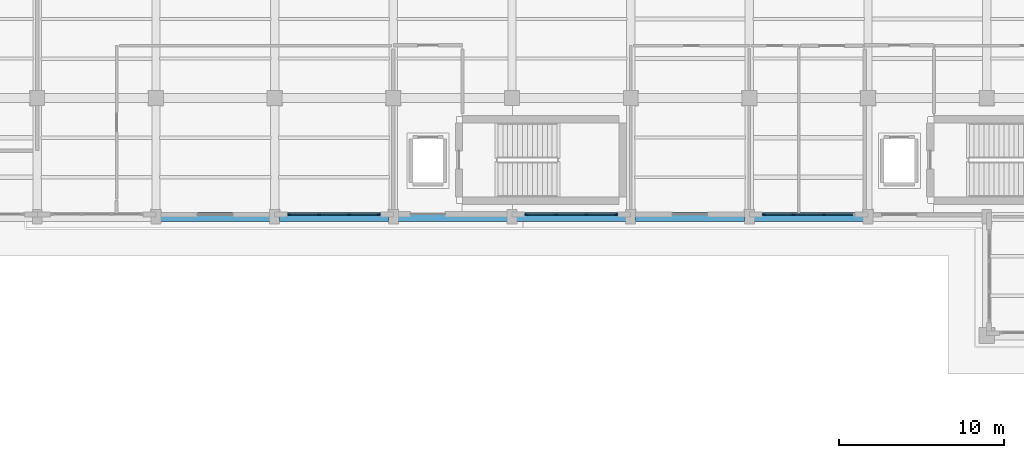
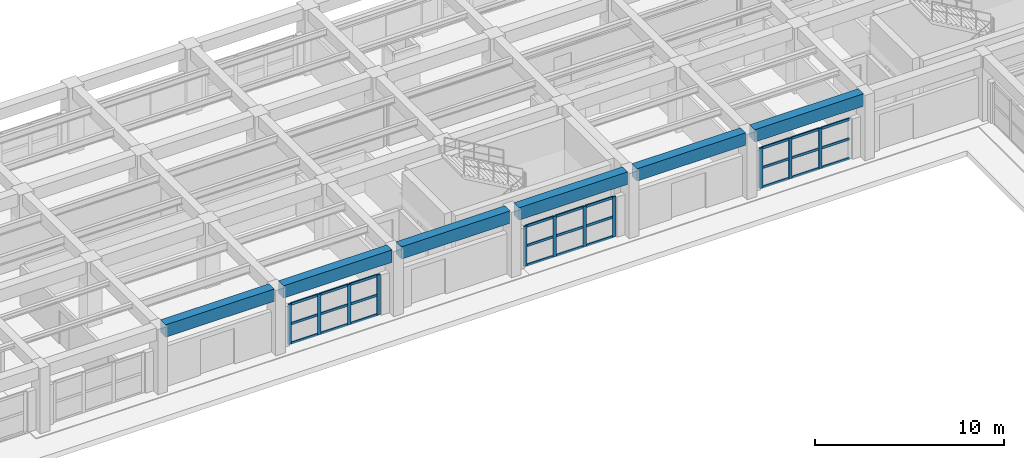
# One storey, part 22 of 64: 38 members, 6 beams, 3 elements without a shape of their own.
"""IFC4 building model written with IfcOpenShell, lengths in metres."""

import ifcopenshell
import ifcopenshell.guid

model = None  # the IFC model being written
_history = None  # IfcOwnerHistory: only IFC2X3 demands one
_inside = {}  # id of a spatial element -> (the spatial element, [elements in it])
_under = {}  # id of a project, library or spatial element -> (it, [spatial elements below it])
_declared = {}  # id of a project -> (the project, [libraries it declares])
_typed = {}  # id of a type object -> (the type object, [elements of that type])
_made_of = {}  # id of a material, layer set ... -> (it, [elements and type objects made of it])


def new_model(schema):
    """Start an empty IFC model of exactly this schema.

    Asked for "IFC4X3", IfcOpenShell would pick the latest addendum, in which some entities
    have other attributes; the version numbers below select the first issue.
    IFC2X3 requires an IfcOwnerHistory on every rooted entity: one is made here for all.
    """
    global model, _history
    if schema == "IFC4X3":
        model = ifcopenshell.file(schema_version=(4, 3, 0, 0))
    else:
        model = ifcopenshell.file(schema=schema)
    _inside.clear()
    _under.clear()
    _declared.clear()
    _typed.clear()
    _made_of.clear()
    _history = None
    if model.schema == "IFC2X3":
        org = make("IfcOrganization", Name="unknown")
        user = make(
            "IfcPersonAndOrganization",
            ThePerson=make("IfcPerson", FamilyName="unknown"),
            TheOrganization=org,
        )
        app = make(
            "IfcApplication",
            ApplicationDeveloper=org,
            Version="unknown",
            ApplicationFullName="unknown",
            ApplicationIdentifier="unknown",
        )
        _history = make(
            "IfcOwnerHistory",
            OwningUser=user,
            OwningApplication=app,
            ChangeAction="ADDED",
            CreationDate=0,
        )
    return model


def make(cls, **values):
    """One entity of the class cls with the attributes given. An attribute that is None is left unset."""
    return model.create_entity(
        cls, **{name: value for name, value in values.items() if value is not None}
    )


def rooted(cls, **values):
    """An entity with a GlobalId (a new one), such as an element, a storey or a relation."""
    return make(cls, GlobalId=ifcopenshell.guid.new(), OwnerHistory=_history, **values)


def si_unit(unit_type, name, prefix=None):
    """IfcSIUnit, for example si_unit("LENGTHUNIT", "METRE", prefix="MILLI")."""
    return make("IfcSIUnit", UnitType=unit_type, Prefix=prefix, Name=name)


def assignment(units):
    """IfcUnitAssignment: the units of a project."""
    return None if units is None else make("IfcUnitAssignment", Units=units)


def point(xyz):
    """IfcCartesianPoint."""
    return None if xyz is None else make("IfcCartesianPoint", Coordinates=xyz)


def direction(xyz):
    """IfcDirection."""
    return None if xyz is None else make("IfcDirection", DirectionRatios=xyz)


def frame(location, z_axis=None, x_axis=None):
    """IfcAxis2Placement3D, a coordinate frame: its origin and axes. An axis left out is left unset."""
    return make(
        "IfcAxis2Placement3D",
        Location=point(location),
        Axis=direction(z_axis),
        RefDirection=direction(x_axis),
    )


def frame_2d(location, x_axis=None):
    """IfcAxis2Placement2D, a coordinate frame in the plane: its origin and x axis."""
    return make(
        "IfcAxis2Placement2D", Location=point(location), RefDirection=direction(x_axis)
    )


def origin():
    """The frame at (0, 0, 0) with its axes left unset."""
    return frame((0.0, 0.0, 0.0))


def origin_2d():
    """The frame at (0, 0) in the plane with its x axis left unset."""
    return frame_2d((0.0, 0.0))


def place(relative_to, where):
    """IfcLocalPlacement: puts the frame where relative to a parent placement (None: the world)."""
    return make(
        "IfcLocalPlacement", PlacementRelTo=relative_to, RelativePlacement=where
    )


def context(
    kind, dimensions, precision=None, world=None, true_north=None, identifier=None
):
    """IfcGeometricRepresentationContext, for example the 3D "Model" context."""
    return make(
        "IfcGeometricRepresentationContext",
        ContextIdentifier=identifier,
        ContextType=kind,
        CoordinateSpaceDimension=dimensions,
        Precision=precision,
        WorldCoordinateSystem=world,
        TrueNorth=true_north,
    )


def subcontext(parent, identifier, kind, view, scale=None):
    """IfcGeometricRepresentationSubContext, for example "Body" below "Model"."""
    return make(
        "IfcGeometricRepresentationSubContext",
        ContextIdentifier=identifier,
        ContextType=kind,
        ParentContext=parent,
        TargetScale=scale,
        TargetView=view,
    )


def project(units=None, contexts=None):
    """IfcProject with its units and contexts."""
    return rooted(
        "IfcProject",
        Name="project",
        RepresentationContexts=contexts,
        UnitsInContext=assignment(units),
    )


def spatial(cls, under=None, at=None, **own):
    """A site, building, storey or space (cls), placed at a placement, below another one or the project."""
    s = rooted(cls, ObjectPlacement=at, **own)
    if under is not None:
        _under.setdefault(under.id(), (under, []))[1].append(s)
    return s


def profile(cls, at=None, kind="AREA", **sizes):
    """A parametric profile (cls). Its sizes go by their IFC names, for example OverallWidth=200.0."""
    return make(cls, ProfileType=kind, Position=at, **sizes)


def rectangle(**sizes):
    """IfcRectangleProfileDef."""
    return profile("IfcRectangleProfileDef", **sizes)


def extrude(swept, where, along, depth):
    """IfcExtrudedAreaSolid: the profile swept, set in the frame where, extruded along a direction by depth."""
    return make(
        "IfcExtrudedAreaSolid",
        SweptArea=swept,
        Position=where,
        ExtrudedDirection=direction(along),
        Depth=depth,
    )


def shape(context_of_items, identifier, shape_type, items):
    """IfcShapeRepresentation: the items that make up one representation, for example the "Body"."""
    return make(
        "IfcShapeRepresentation",
        ContextOfItems=context_of_items,
        RepresentationIdentifier=identifier,
        RepresentationType=shape_type,
        Items=items,
    )


def material(Name=None, Category=None):
    """IfcMaterial."""
    return make("IfcMaterial", Name=Name, Category=Category)


def layer(
    of_material, thickness, ventilated=None, Name=None, Category=None, Priority=None
):
    """IfcMaterialLayer: one layer of a wall or slab, of a material (None: an air gap)."""
    return make(
        "IfcMaterialLayer",
        Material=of_material,
        LayerThickness=thickness,
        IsVentilated=ventilated,
        Name=Name,
        Category=Category,
        Priority=Priority,
    )


def layer_set(layers, Name=None):
    """IfcMaterialLayerSet."""
    return make("IfcMaterialLayerSet", MaterialLayers=layers, LayerSetName=Name)


def material_profile(
    of_material, cross_section, Name=None, Category=None, Priority=None
):
    """IfcMaterialProfile: a cross section and its material."""
    return make(
        "IfcMaterialProfile",
        Name=Name,
        Material=of_material,
        Profile=cross_section,
        Priority=Priority,
        Category=Category,
    )


def profile_set(profiles, Name=None, composite=None):
    """IfcMaterialProfileSet."""
    return make(
        "IfcMaterialProfileSet",
        Name=Name,
        MaterialProfiles=profiles,
        CompositeProfile=composite,
    )


def made_of(thing, what):
    """Note that an element or type object is made of a material, layer set ...; save() writes the relation."""
    if what is not None:
        _made_of.setdefault(what.id(), (what, []))[1].append(thing)
    return thing


def type_object(cls, material=None, **own):
    """A type object (cls), such as IfcWallType, which elements share."""
    return made_of(rooted(cls, **own), material)


def element(
    cls,
    number,
    at=None,
    inside=None,
    cuts=None,
    type_object=None,
    material=None,
    context=None,
    identifier="Body",
    shape_type=None,
    held_by="IfcProductDefinitionShape",
    body=None,
    shapes=None,
    **own,
):
    """One element of the class cls, such as IfcWall. Its Tag is "e" and its number.

    at: its placement. inside: the storey or other place that contains it. cuts: it is an
    opening in that element (IfcRelVoidsElement). A single representation is given by context,
    identifier, shape_type and body (its items); several are given by shapes. held_by: the class
    of the entity that holds the representations. save() writes the other relations.
    """
    e = rooted(cls, Tag="e%d" % number, ObjectPlacement=at, **own)
    if body is not None:
        shapes = [shape(context, identifier, shape_type, body)]
    if shapes is not None:
        e.Representation = make(held_by, Representations=shapes)
    if inside is not None:
        _inside.setdefault(inside.id(), (inside, []))[1].append(e)
    if cuts is not None:
        rooted(
            "IfcRelVoidsElement", RelatingBuildingElement=cuts, RelatedOpeningElement=e
        )
    if type_object is not None:
        _typed.setdefault(type_object.id(), (type_object, []))[1].append(e)
    return made_of(e, material)


def aggregate(whole, parts):
    """IfcRelAggregates: a whole, such as a stair, and the parts it consists of."""
    return rooted("IfcRelAggregates", RelatingObject=whole, RelatedObjects=parts)


def save(model, path):
    """Write the relations noted so far, then the file.

    IfcRelAggregates (storeys below a building ...), IfcRelContainedInSpatialStructure (elements
    in a storey), IfcRelDefinesByType, IfcRelAssociatesMaterial and IfcRelDeclares: one each for
    every whole, place, type object, material and project.
    """
    for whole, parts in _under.values():
        aggregate(whole, parts)
    for where, things in _inside.values():
        rooted(
            "IfcRelContainedInSpatialStructure",
            RelatedElements=things,
            RelatingStructure=where,
        )
    for kind, things in _typed.values():
        rooted("IfcRelDefinesByType", RelatedObjects=things, RelatingType=kind)
    for what, things in _made_of.values():
        rooted("IfcRelAssociatesMaterial", RelatedObjects=things, RelatingMaterial=what)
    for by, libraries in _declared.values():
        rooted("IfcRelDeclares", RelatingContext=by, RelatedDefinitions=libraries)
    model.write(path)


model = new_model("IFC4")

# Units and contexts
model_context = context("Model", 3, precision=1e-05, world=origin(), true_north=direction((0.0, 1.0)))
body_context = subcontext(model_context, "Body", "Model", "MODEL_VIEW")
ifc_project = project(units=[si_unit("LENGTHUNIT", "METRE"), si_unit("AREAUNIT", "SQUARE_METRE"), si_unit("VOLUMEUNIT", "CUBIC_METRE"), si_unit("PLANEANGLEUNIT", "RADIAN"), si_unit("MASSUNIT", "GRAM", prefix="KILO")], contexts=[model_context])

# Site, building, storey
site_placement = place(None, origin())
site = spatial("IfcSite", under=ifc_project, at=site_placement, CompositionType="ELEMENT")
building_placement = place(site_placement, origin())
building = spatial("IfcBuilding", under=site, at=building_placement, Name="Solenvale Faculty of Natural Sciences", CompositionType="ELEMENT")
storey_placement = place(building_placement, origin())
storey = spatial("IfcBuildingStorey", under=building, at=storey_placement, Name="L00", CompositionType="ELEMENT", Elevation=0.0)

# Beams
ifc_material_1 = material(Name="Concrete 40 MPa", Category="concrete")
ifc_material_profile_1 = material_profile(ifc_material_1, rectangle(XDim=0.550048828125, YDim=0.800048828125, at=origin_2d()), Name="RC-BM-550x800")
ifc_profile_set_1 = profile_set([ifc_material_profile_1], Name="Concrete 40 MPa")
beam_type = type_object("IfcBeamType", Name="BM-RC-550x800", PredefinedType="BEAM", material=ifc_profile_set_1)
for number, where, z_axis, x_axis, name in (
    (1, (86.679931640625, 93.60009765625, 3.820068359375), (1.0, 0.0, 0.0), (0.0, 1.0, 0.0), "L00 X-Girder Y93.6 (86.4..93.6)"),
    (2, (93.8798828125, 93.60009765625, 3.820068359375), (1.0, 0.0, 0.0), (0.0, 1.0, 0.0), "L00 X-Girder Y93.6 (93.6..100.8)"),
):
    element("IfcBeam", number, at=place(storey_placement, frame(where, z_axis=z_axis, x_axis=x_axis)), inside=storey, type_object=beam_type, Name=name, PredefinedType="BEAM", context=body_context, shape_type="SweptSolid", body=[
        extrude(rectangle(XDim=0.550048828125, YDim=0.800048828125, at=origin_2d()), origin(), (0.0, 0.0, 1.0), 6.64013671875),
    ])
for number, where, z_axis, x_axis, name in (
    (3, (101.080078125, 93.60009765625, 3.820068359375), (1.0, 0.0, 0.0), (0.0, 1.0, 0.0), "L00 X-Girder Y93.6 (100.8..108.0)"),
    (4, (108.280029296875, 93.60009765625, 3.820068359375), (1.0, 0.0, 0.0), (0.0, 1.0, 0.0), "L00 X-Girder Y93.6 (108.0..115.2)"),
):
    element("IfcBeam", number, at=place(storey_placement, frame(where, z_axis=z_axis, x_axis=x_axis)), inside=storey, type_object=beam_type, Name=name, PredefinedType="BEAM", context=body_context, shape_type="SweptSolid", body=[
        extrude(rectangle(XDim=0.550048828125, YDim=0.800048828125, at=origin_2d()), origin(), (0.0, 0.0, 1.0), 6.639892578125),
    ])
for number, where, z_axis, x_axis, name in (
    (5, (115.47998046875, 93.60009765625, 3.820068359375), (1.0, 0.0, 0.0), (0.0, 1.0, 0.0), "L00 X-Girder Y93.6 (115.2..122.4)"),
    (6, (122.679931640625, 93.60009765625, 3.820068359375), (1.0, 0.0, 0.0), (0.0, 1.0, 0.0), "L00 X-Girder Y93.6 (122.4..129.6)"),
):
    element("IfcBeam", number, at=place(storey_placement, frame(where, z_axis=z_axis, x_axis=x_axis)), inside=storey, type_object=beam_type, Name=name, PredefinedType="BEAM", context=body_context, shape_type="SweptSolid", body=[
        extrude(rectangle(XDim=0.550048828125, YDim=0.800048828125, at=origin_2d()), origin(), (0.0, 0.0, 1.0), 6.64013671875),
    ])

# Curtain wall, members
ifc_material_2 = material(Name="Anodised bronze aluminium", Category="aluminium")
ifc_layer = layer(ifc_material_2, 0.179931640625)
ifc_layer_set = layer_set([ifc_layer], Name="Anodised bronze aluminium")
curtain_wall_type = type_object("IfcCurtainWallType", Name="CW-TWR-MOD", PredefinedType="USERDEFINED", material=ifc_layer_set)
curtain_wall_1_placement = place(storey_placement, origin())
curtain_wall_1 = element("IfcCurtainWall", 7, at=curtain_wall_1_placement, inside=storey, type_object=curtain_wall_type, Name="L00 Curtain Wall CW-L00-P1-E12-B3", ObjectType="UNITISED CURTAIN WALL", PredefinedType="USERDEFINED")
ifc_material_profile_2 = material_profile(ifc_material_2, rectangle(XDim=0.074951171875, YDim=0.2099609375, at=origin_2d()), Name="ALU-MUL-75x210")
ifc_profile_set_2 = profile_set([ifc_material_profile_2], Name="Anodised bronze aluminium")
member_type_1 = type_object("IfcMemberType", Name="CWM-ALU-75x210", PredefinedType="MULLION", material=ifc_profile_set_2)
member_1_placement = place(storey_placement, frame((94.487548828125, 93.742431640625, 0.0), z_axis=(0.0, 0.0, 1.0), x_axis=(0.0, 1.0, 0.0)))
member_1 = element("IfcMember", 8, at=member_1_placement, type_object=member_type_1, Name="CW-04 mullion 1", PredefinedType="MULLION", context=body_context, shape_type="SweptSolid", body=[
    extrude(rectangle(XDim=0.074951171875, YDim=0.2099609375, at=origin_2d()), origin(), (0.0, 0.0, 1.0), 2.60009765625),
])
member_2_placement = place(storey_placement, frame((96.283447265625, 93.742431640625, 0.0), z_axis=(0.0, 0.0, 1.0), x_axis=(0.0, 1.0, 0.0)))
member_2 = element("IfcMember", 9, at=member_2_placement, type_object=member_type_1, Name="CW-04 mullion 2", PredefinedType="MULLION", context=body_context, shape_type="SweptSolid", body=[
    extrude(rectangle(XDim=0.074951171875, YDim=0.2099609375, at=origin_2d()), origin(), (0.0, 0.0, 1.0), 2.60009765625),
])
member_3_placement = place(storey_placement, frame((98.11669921875, 93.742431640625, 0.0), z_axis=(0.0, 0.0, 1.0), x_axis=(0.0, 1.0, 0.0)))
member_3 = element("IfcMember", 10, at=member_3_placement, type_object=member_type_1, Name="CW-04 mullion 3", PredefinedType="MULLION", context=body_context, shape_type="SweptSolid", body=[
    extrude(rectangle(XDim=0.074951171875, YDim=0.2099609375, at=origin_2d()), origin(), (0.0, 0.0, 1.0), 2.60009765625),
])
member_4_placement = place(storey_placement, frame((99.91259765625, 93.742431640625, 0.0), z_axis=(0.0, 0.0, 1.0), x_axis=(0.0, 1.0, 0.0)))
member_4 = element("IfcMember", 11, at=member_4_placement, type_object=member_type_1, Name="CW-04 mullion 4", PredefinedType="MULLION", context=body_context, shape_type="SweptSolid", body=[
    extrude(rectangle(XDim=0.074951171875, YDim=0.2099609375, at=origin_2d()), origin(), (0.0, 0.0, 1.0), 2.60009765625),
])

curtain_wall_2_placement = place(storey_placement, origin())
curtain_wall_2 = element("IfcCurtainWall", 12, at=curtain_wall_2_placement, inside=storey, type_object=curtain_wall_type, Name="L00 Curtain Wall CW-L00-P1-E12-B5", ObjectType="UNITISED CURTAIN WALL", PredefinedType="USERDEFINED")
member_5_placement = place(storey_placement, frame((108.887451171875, 93.742431640625, 0.0), z_axis=(0.0, 0.0, 1.0), x_axis=(0.0, 1.0, 0.0)))
member_5 = element("IfcMember", 13, at=member_5_placement, type_object=member_type_1, Name="CW-04 mullion 1", PredefinedType="MULLION", context=body_context, shape_type="SweptSolid", body=[
    extrude(rectangle(XDim=0.074951171875, YDim=0.2099609375, at=origin_2d()), origin(), (0.0, 0.0, 1.0), 2.60009765625),
])
member_6_placement = place(storey_placement, frame((110.683349609375, 93.742431640625, 0.0), z_axis=(0.0, 0.0, 1.0), x_axis=(0.0, 1.0, 0.0)))
member_6 = element("IfcMember", 14, at=member_6_placement, type_object=member_type_1, Name="CW-04 mullion 2", PredefinedType="MULLION", context=body_context, shape_type="SweptSolid", body=[
    extrude(rectangle(XDim=0.074951171875, YDim=0.2099609375, at=origin_2d()), origin(), (0.0, 0.0, 1.0), 2.60009765625),
])
member_7_placement = place(storey_placement, frame((112.5166015625, 93.742431640625, 0.0), z_axis=(0.0, 0.0, 1.0), x_axis=(0.0, 1.0, 0.0)))
member_7 = element("IfcMember", 15, at=member_7_placement, type_object=member_type_1, Name="CW-04 mullion 3", PredefinedType="MULLION", context=body_context, shape_type="SweptSolid", body=[
    extrude(rectangle(XDim=0.074951171875, YDim=0.2099609375, at=origin_2d()), origin(), (0.0, 0.0, 1.0), 2.60009765625),
])
member_8_placement = place(storey_placement, frame((114.3125, 93.742431640625, 0.0), z_axis=(0.0, 0.0, 1.0), x_axis=(0.0, 1.0, 0.0)))
member_8 = element("IfcMember", 16, at=member_8_placement, type_object=member_type_1, Name="CW-04 mullion 4", PredefinedType="MULLION", context=body_context, shape_type="SweptSolid", body=[
    extrude(rectangle(XDim=0.074951171875, YDim=0.2099609375, at=origin_2d()), origin(), (0.0, 0.0, 1.0), 2.60009765625),
])

curtain_wall_3_placement = place(storey_placement, origin())
curtain_wall_3 = element("IfcCurtainWall", 17, at=curtain_wall_3_placement, inside=storey, type_object=curtain_wall_type, Name="L00 Curtain Wall CW-L00-P1-E12-B7", ObjectType="UNITISED CURTAIN WALL", PredefinedType="USERDEFINED")
member_9_placement = place(storey_placement, frame((123.28759765625, 93.742431640625, 0.0), z_axis=(0.0, 0.0, 1.0), x_axis=(0.0, 1.0, 0.0)))
member_9 = element("IfcMember", 18, at=member_9_placement, type_object=member_type_1, Name="CW-04 mullion 1", PredefinedType="MULLION", context=body_context, shape_type="SweptSolid", body=[
    extrude(rectangle(XDim=0.074951171875, YDim=0.2099609375, at=origin_2d()), origin(), (0.0, 0.0, 1.0), 2.60009765625),
])
member_10_placement = place(storey_placement, frame((125.083251953125, 93.742431640625, 0.0), z_axis=(0.0, 0.0, 1.0), x_axis=(0.0, 1.0, 0.0)))
member_10 = element("IfcMember", 19, at=member_10_placement, type_object=member_type_1, Name="CW-04 mullion 2", PredefinedType="MULLION", context=body_context, shape_type="SweptSolid", body=[
    extrude(rectangle(XDim=0.074951171875, YDim=0.2099609375, at=origin_2d()), origin(), (0.0, 0.0, 1.0), 2.60009765625),
])
member_11_placement = place(storey_placement, frame((126.916748046875, 93.742431640625, 0.0), z_axis=(0.0, 0.0, 1.0), x_axis=(0.0, 1.0, 0.0)))
member_11 = element("IfcMember", 20, at=member_11_placement, type_object=member_type_1, Name="CW-04 mullion 3", PredefinedType="MULLION", context=body_context, shape_type="SweptSolid", body=[
    extrude(rectangle(XDim=0.074951171875, YDim=0.2099609375, at=origin_2d()), origin(), (0.0, 0.0, 1.0), 2.60009765625),
])

# Member
ifc_material_profile_3 = material_profile(ifc_material_2, rectangle(XDim=0.074951171875, YDim=0.155029296875, at=origin_2d()), Name="ALU-TRN-75x155")
ifc_profile_set_3 = profile_set([ifc_material_profile_3], Name="Anodised bronze aluminium")
member_type_2 = type_object("IfcMemberType", Name="CWT-ALU-75x155", PredefinedType="USERDEFINED", material=ifc_profile_set_3)
member_12_placement = place(storey_placement, frame((94.52490234375, 93.742431640625, 0.03759765625), z_axis=(1.0, 0.0, 0.0), x_axis=(0.0, 1.0, 0.0)))
member_12 = element("IfcMember", 21, at=member_12_placement, type_object=member_type_2, Name="CW-04 transom 1.1", ObjectType="TRANSOM", PredefinedType="USERDEFINED", context=body_context, shape_type="SweptSolid", body=[
    extrude(rectangle(XDim=0.074951171875, YDim=0.155029296875, at=origin_2d()), origin(), (0.0, 0.0, 1.0), 1.720947265625),
])

member_13_placement = place(storey_placement, frame((94.52490234375, 93.742431640625, 1.300048828125), z_axis=(1.0, 0.0, 0.0), x_axis=(0.0, 1.0, 0.0)))
member_13 = element("IfcMember", 22, at=member_13_placement, type_object=member_type_2, Name="CW-04 transom 1.2", ObjectType="TRANSOM", PredefinedType="USERDEFINED", context=body_context, shape_type="SweptSolid", body=[
    extrude(rectangle(XDim=0.074951171875, YDim=0.155029296875, at=origin_2d()), origin(), (0.0, 0.0, 1.0), 1.720947265625),
])

member_14_placement = place(storey_placement, frame((94.52490234375, 93.742431640625, 2.5625), z_axis=(1.0, 0.0, 0.0), x_axis=(0.0, 1.0, 0.0)))
member_14 = element("IfcMember", 23, at=member_14_placement, type_object=member_type_2, Name="CW-04 transom 1.3", ObjectType="TRANSOM", PredefinedType="USERDEFINED", context=body_context, shape_type="SweptSolid", body=[
    extrude(rectangle(XDim=0.074951171875, YDim=0.155029296875, at=origin_2d()), origin(), (0.0, 0.0, 1.0), 1.720947265625),
])

member_15_placement = place(storey_placement, frame((96.32080078125, 93.742431640625, 0.03759765625), z_axis=(1.0, 0.0, 0.0), x_axis=(0.0, 1.0, 0.0)))
member_15 = element("IfcMember", 24, at=member_15_placement, type_object=member_type_2, Name="CW-04 transom 2.1", ObjectType="TRANSOM", PredefinedType="USERDEFINED", context=body_context, shape_type="SweptSolid", body=[
    extrude(rectangle(XDim=0.074951171875, YDim=0.155029296875, at=origin_2d()), origin(), (0.0, 0.0, 1.0), 1.75830078125),
])

member_16_placement = place(storey_placement, frame((96.32080078125, 93.742431640625, 1.300048828125), z_axis=(1.0, 0.0, 0.0), x_axis=(0.0, 1.0, 0.0)))
member_16 = element("IfcMember", 25, at=member_16_placement, type_object=member_type_2, Name="CW-04 transom 2.2", ObjectType="TRANSOM", PredefinedType="USERDEFINED", context=body_context, shape_type="SweptSolid", body=[
    extrude(rectangle(XDim=0.074951171875, YDim=0.155029296875, at=origin_2d()), origin(), (0.0, 0.0, 1.0), 1.75830078125),
])

member_17_placement = place(storey_placement, frame((96.32080078125, 93.742431640625, 2.5625), z_axis=(1.0, 0.0, 0.0), x_axis=(0.0, 1.0, 0.0)))
member_17 = element("IfcMember", 26, at=member_17_placement, type_object=member_type_2, Name="CW-04 transom 2.3", ObjectType="TRANSOM", PredefinedType="USERDEFINED", context=body_context, shape_type="SweptSolid", body=[
    extrude(rectangle(XDim=0.074951171875, YDim=0.155029296875, at=origin_2d()), origin(), (0.0, 0.0, 1.0), 1.75830078125),
])

member_18_placement = place(storey_placement, frame((98.154052734375, 93.742431640625, 0.03759765625), z_axis=(1.0, 0.0, 0.0), x_axis=(0.0, 1.0, 0.0)))
member_18 = element("IfcMember", 27, at=member_18_placement, type_object=member_type_2, Name="CW-04 transom 3.1", ObjectType="TRANSOM", PredefinedType="USERDEFINED", context=body_context, shape_type="SweptSolid", body=[
    extrude(rectangle(XDim=0.074951171875, YDim=0.155029296875, at=origin_2d()), origin(), (0.0, 0.0, 1.0), 1.720947265625),
])

member_19_placement = place(storey_placement, frame((98.154052734375, 93.742431640625, 1.300048828125), z_axis=(1.0, 0.0, 0.0), x_axis=(0.0, 1.0, 0.0)))
member_19 = element("IfcMember", 28, at=member_19_placement, type_object=member_type_2, Name="CW-04 transom 3.2", ObjectType="TRANSOM", PredefinedType="USERDEFINED", context=body_context, shape_type="SweptSolid", body=[
    extrude(rectangle(XDim=0.074951171875, YDim=0.155029296875, at=origin_2d()), origin(), (0.0, 0.0, 1.0), 1.720947265625),
])

member_20_placement = place(storey_placement, frame((98.154052734375, 93.742431640625, 2.5625), z_axis=(1.0, 0.0, 0.0), x_axis=(0.0, 1.0, 0.0)))
member_20 = element("IfcMember", 29, at=member_20_placement, type_object=member_type_2, Name="CW-04 transom 3.3", ObjectType="TRANSOM", PredefinedType="USERDEFINED", context=body_context, shape_type="SweptSolid", body=[
    extrude(rectangle(XDim=0.074951171875, YDim=0.155029296875, at=origin_2d()), origin(), (0.0, 0.0, 1.0), 1.720947265625),
])

aggregate(curtain_wall_1, [member_1, member_2, member_3, member_4, member_12, member_13, member_14, member_15, member_16, member_17, member_18, member_19, member_20])

member_21_placement = place(storey_placement, frame((108.925048828125, 93.742431640625, 0.03759765625), z_axis=(1.0, 0.0, 0.0), x_axis=(0.0, 1.0, 0.0)))
member_21 = element("IfcMember", 30, at=member_21_placement, type_object=member_type_2, Name="CW-04 transom 1.1", ObjectType="TRANSOM", PredefinedType="USERDEFINED", context=body_context, shape_type="SweptSolid", body=[
    extrude(rectangle(XDim=0.074951171875, YDim=0.155029296875, at=origin_2d()), origin(), (0.0, 0.0, 1.0), 1.720703125),
])

member_22_placement = place(storey_placement, frame((108.925048828125, 93.742431640625, 1.300048828125), z_axis=(1.0, 0.0, 0.0), x_axis=(0.0, 1.0, 0.0)))
member_22 = element("IfcMember", 31, at=member_22_placement, type_object=member_type_2, Name="CW-04 transom 1.2", ObjectType="TRANSOM", PredefinedType="USERDEFINED", context=body_context, shape_type="SweptSolid", body=[
    extrude(rectangle(XDim=0.074951171875, YDim=0.155029296875, at=origin_2d()), origin(), (0.0, 0.0, 1.0), 1.720703125),
])

member_23_placement = place(storey_placement, frame((108.925048828125, 93.742431640625, 2.5625), z_axis=(1.0, 0.0, 0.0), x_axis=(0.0, 1.0, 0.0)))
member_23 = element("IfcMember", 32, at=member_23_placement, type_object=member_type_2, Name="CW-04 transom 1.3", ObjectType="TRANSOM", PredefinedType="USERDEFINED", context=body_context, shape_type="SweptSolid", body=[
    extrude(rectangle(XDim=0.074951171875, YDim=0.155029296875, at=origin_2d()), origin(), (0.0, 0.0, 1.0), 1.720703125),
])

member_24_placement = place(storey_placement, frame((110.720947265625, 93.742431640625, 0.03759765625), z_axis=(1.0, 0.0, 0.0), x_axis=(0.0, 1.0, 0.0)))
member_24 = element("IfcMember", 33, at=member_24_placement, type_object=member_type_2, Name="CW-04 transom 2.1", ObjectType="TRANSOM", PredefinedType="USERDEFINED", context=body_context, shape_type="SweptSolid", body=[
    extrude(rectangle(XDim=0.074951171875, YDim=0.155029296875, at=origin_2d()), origin(), (0.0, 0.0, 1.0), 1.75830078125),
])

member_25_placement = place(storey_placement, frame((110.720947265625, 93.742431640625, 1.300048828125), z_axis=(1.0, 0.0, 0.0), x_axis=(0.0, 1.0, 0.0)))
member_25 = element("IfcMember", 34, at=member_25_placement, type_object=member_type_2, Name="CW-04 transom 2.2", ObjectType="TRANSOM", PredefinedType="USERDEFINED", context=body_context, shape_type="SweptSolid", body=[
    extrude(rectangle(XDim=0.074951171875, YDim=0.155029296875, at=origin_2d()), origin(), (0.0, 0.0, 1.0), 1.75830078125),
])

member_26_placement = place(storey_placement, frame((110.720947265625, 93.742431640625, 2.5625), z_axis=(1.0, 0.0, 0.0), x_axis=(0.0, 1.0, 0.0)))
member_26 = element("IfcMember", 35, at=member_26_placement, type_object=member_type_2, Name="CW-04 transom 2.3", ObjectType="TRANSOM", PredefinedType="USERDEFINED", context=body_context, shape_type="SweptSolid", body=[
    extrude(rectangle(XDim=0.074951171875, YDim=0.155029296875, at=origin_2d()), origin(), (0.0, 0.0, 1.0), 1.75830078125),
])

member_27_placement = place(storey_placement, frame((112.55419921875, 93.742431640625, 0.03759765625), z_axis=(1.0, 0.0, 0.0), x_axis=(0.0, 1.0, 0.0)))
member_27 = element("IfcMember", 36, at=member_27_placement, type_object=member_type_2, Name="CW-04 transom 3.1", ObjectType="TRANSOM", PredefinedType="USERDEFINED", context=body_context, shape_type="SweptSolid", body=[
    extrude(rectangle(XDim=0.074951171875, YDim=0.155029296875, at=origin_2d()), origin(), (0.0, 0.0, 1.0), 1.720703125),
])

member_28_placement = place(storey_placement, frame((112.55419921875, 93.742431640625, 1.300048828125), z_axis=(1.0, 0.0, 0.0), x_axis=(0.0, 1.0, 0.0)))
member_28 = element("IfcMember", 37, at=member_28_placement, type_object=member_type_2, Name="CW-04 transom 3.2", ObjectType="TRANSOM", PredefinedType="USERDEFINED", context=body_context, shape_type="SweptSolid", body=[
    extrude(rectangle(XDim=0.074951171875, YDim=0.155029296875, at=origin_2d()), origin(), (0.0, 0.0, 1.0), 1.720703125),
])

member_29_placement = place(storey_placement, frame((112.55419921875, 93.742431640625, 2.5625), z_axis=(1.0, 0.0, 0.0), x_axis=(0.0, 1.0, 0.0)))
member_29 = element("IfcMember", 38, at=member_29_placement, type_object=member_type_2, Name="CW-04 transom 3.3", ObjectType="TRANSOM", PredefinedType="USERDEFINED", context=body_context, shape_type="SweptSolid", body=[
    extrude(rectangle(XDim=0.074951171875, YDim=0.155029296875, at=origin_2d()), origin(), (0.0, 0.0, 1.0), 1.720703125),
])

aggregate(curtain_wall_2, [member_5, member_6, member_7, member_8, member_21, member_22, member_23, member_24, member_25, member_26, member_27, member_28, member_29])

member_30_placement = place(storey_placement, frame((123.324951171875, 93.742431640625, 0.03759765625), z_axis=(1.0, 0.0, 0.0), x_axis=(0.0, 1.0, 0.0)))
member_30 = element("IfcMember", 39, at=member_30_placement, type_object=member_type_2, Name="CW-04 transom 1.1", ObjectType="TRANSOM", PredefinedType="USERDEFINED", context=body_context, shape_type="SweptSolid", body=[
    extrude(rectangle(XDim=0.074951171875, YDim=0.155029296875, at=origin_2d()), origin(), (0.0, 0.0, 1.0), 1.720947265625),
])

member_31_placement = place(storey_placement, frame((123.324951171875, 93.742431640625, 1.300048828125), z_axis=(1.0, 0.0, 0.0), x_axis=(0.0, 1.0, 0.0)))
member_31 = element("IfcMember", 40, at=member_31_placement, type_object=member_type_2, Name="CW-04 transom 1.2", ObjectType="TRANSOM", PredefinedType="USERDEFINED", context=body_context, shape_type="SweptSolid", body=[
    extrude(rectangle(XDim=0.074951171875, YDim=0.155029296875, at=origin_2d()), origin(), (0.0, 0.0, 1.0), 1.720947265625),
])

member_32_placement = place(storey_placement, frame((123.324951171875, 93.742431640625, 2.5625), z_axis=(1.0, 0.0, 0.0), x_axis=(0.0, 1.0, 0.0)))
member_32 = element("IfcMember", 41, at=member_32_placement, type_object=member_type_2, Name="CW-04 transom 1.3", ObjectType="TRANSOM", PredefinedType="USERDEFINED", context=body_context, shape_type="SweptSolid", body=[
    extrude(rectangle(XDim=0.074951171875, YDim=0.155029296875, at=origin_2d()), origin(), (0.0, 0.0, 1.0), 1.720947265625),
])

member_33_placement = place(storey_placement, frame((125.120849609375, 93.742431640625, 0.03759765625), z_axis=(1.0, 0.0, 0.0), x_axis=(0.0, 1.0, 0.0)))
member_33 = element("IfcMember", 42, at=member_33_placement, type_object=member_type_2, Name="CW-04 transom 2.1", ObjectType="TRANSOM", PredefinedType="USERDEFINED", context=body_context, shape_type="SweptSolid", body=[
    extrude(rectangle(XDim=0.074951171875, YDim=0.155029296875, at=origin_2d()), origin(), (0.0, 0.0, 1.0), 1.75830078125),
])

member_34_placement = place(storey_placement, frame((125.120849609375, 93.742431640625, 1.300048828125), z_axis=(1.0, 0.0, 0.0), x_axis=(0.0, 1.0, 0.0)))
member_34 = element("IfcMember", 43, at=member_34_placement, type_object=member_type_2, Name="CW-04 transom 2.2", ObjectType="TRANSOM", PredefinedType="USERDEFINED", context=body_context, shape_type="SweptSolid", body=[
    extrude(rectangle(XDim=0.074951171875, YDim=0.155029296875, at=origin_2d()), origin(), (0.0, 0.0, 1.0), 1.75830078125),
])

member_35_placement = place(storey_placement, frame((125.120849609375, 93.742431640625, 2.5625), z_axis=(1.0, 0.0, 0.0), x_axis=(0.0, 1.0, 0.0)))
member_35 = element("IfcMember", 44, at=member_35_placement, type_object=member_type_2, Name="CW-04 transom 2.3", ObjectType="TRANSOM", PredefinedType="USERDEFINED", context=body_context, shape_type="SweptSolid", body=[
    extrude(rectangle(XDim=0.074951171875, YDim=0.155029296875, at=origin_2d()), origin(), (0.0, 0.0, 1.0), 1.75830078125),
])

member_36_placement = place(storey_placement, frame((126.9541015625, 93.742431640625, 0.03759765625), z_axis=(1.0, 0.0, 0.0), x_axis=(0.0, 1.0, 0.0)))
member_36 = element("IfcMember", 45, at=member_36_placement, type_object=member_type_2, Name="CW-04 transom 3.1", ObjectType="TRANSOM", PredefinedType="USERDEFINED", context=body_context, shape_type="SweptSolid", body=[
    extrude(rectangle(XDim=0.074951171875, YDim=0.155029296875, at=origin_2d()), origin(), (0.0, 0.0, 1.0), 1.720947265625),
])

member_37_placement = place(storey_placement, frame((126.9541015625, 93.742431640625, 1.300048828125), z_axis=(1.0, 0.0, 0.0), x_axis=(0.0, 1.0, 0.0)))
member_37 = element("IfcMember", 46, at=member_37_placement, type_object=member_type_2, Name="CW-04 transom 3.2", ObjectType="TRANSOM", PredefinedType="USERDEFINED", context=body_context, shape_type="SweptSolid", body=[
    extrude(rectangle(XDim=0.074951171875, YDim=0.155029296875, at=origin_2d()), origin(), (0.0, 0.0, 1.0), 1.720947265625),
])

member_38_placement = place(storey_placement, frame((126.9541015625, 93.742431640625, 2.5625), z_axis=(1.0, 0.0, 0.0), x_axis=(0.0, 1.0, 0.0)))
member_38 = element("IfcMember", 47, at=member_38_placement, type_object=member_type_2, Name="CW-04 transom 3.3", ObjectType="TRANSOM", PredefinedType="USERDEFINED", context=body_context, shape_type="SweptSolid", body=[
    extrude(rectangle(XDim=0.074951171875, YDim=0.155029296875, at=origin_2d()), origin(), (0.0, 0.0, 1.0), 1.720947265625),
])

aggregate(curtain_wall_3, [member_9, member_10, member_11, member_30, member_31, member_32, member_33, member_34, member_35, member_36, member_37, member_38])

save(model, "model.ifc")
